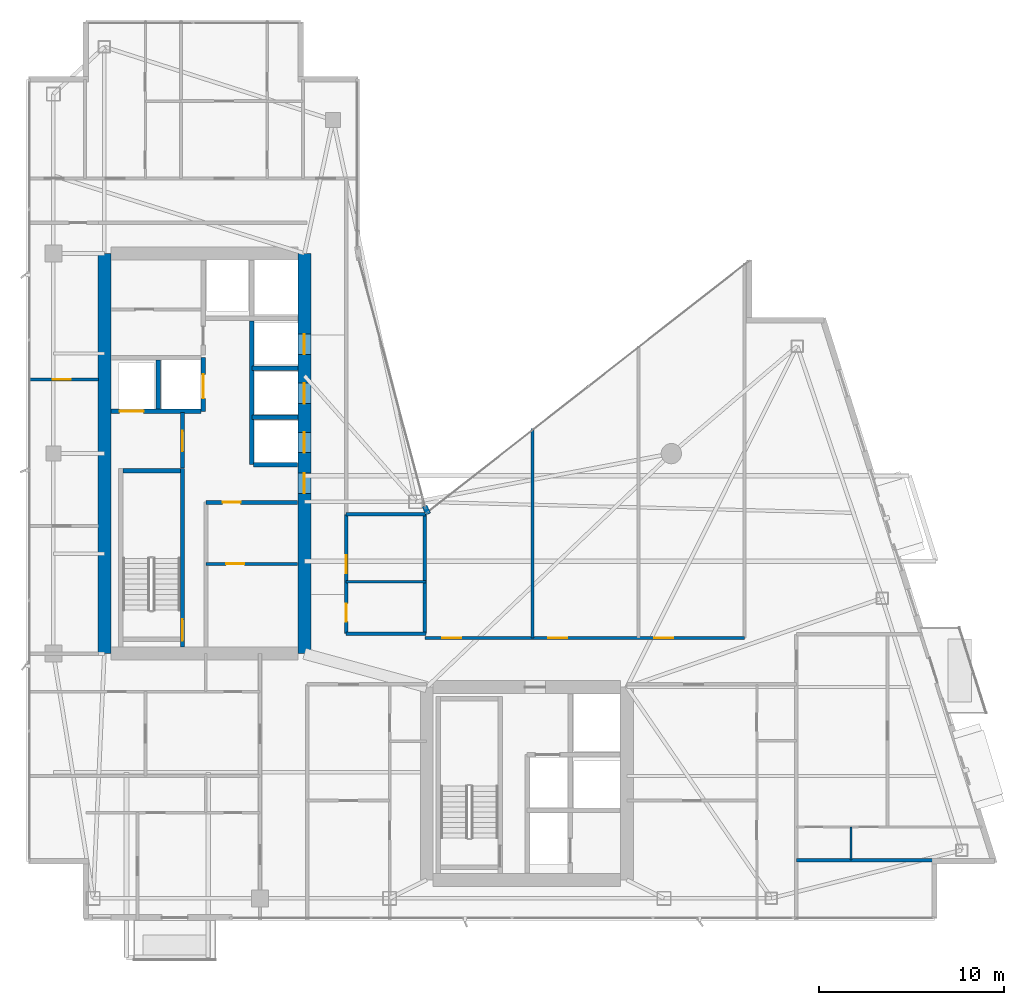
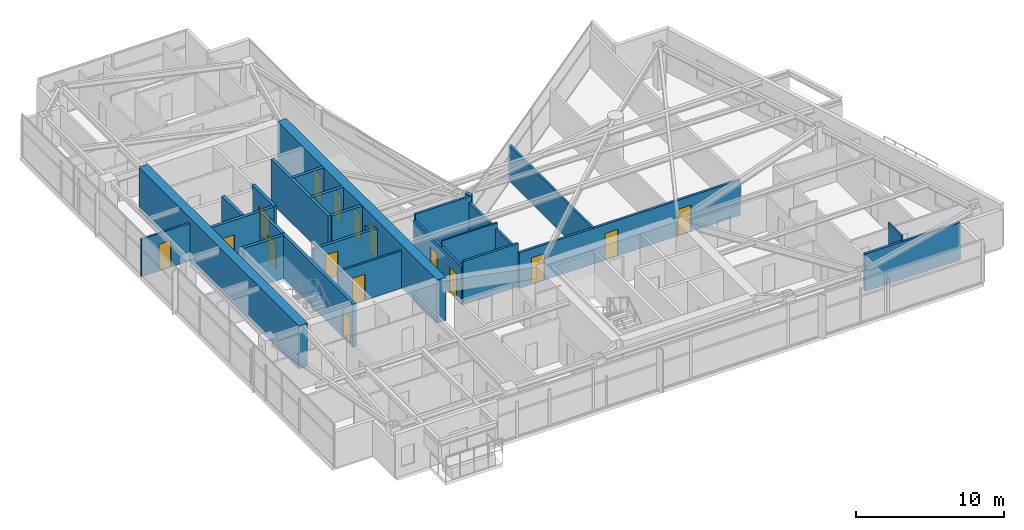
# One storey, part 25 of 30: 25 walls, 16 doors, 16 openings.
"""IFC4 building model written with IfcOpenShell, lengths in metres."""

from ifc_helpers import new_model, si_unit, direction, frame, frame_2d, origin, place, context, subcontext, project, spatial, rectangle, extrude, material, layer, layer_set, type_object, element, fill, save


model = new_model("IFC4")

# Units and contexts
model_context = context("Model", 3, precision=1e-05, world=origin(), true_north=direction((0.0, 1.0)))
body_context = subcontext(model_context, "Body", "Model", "MODEL_VIEW")
ifc_project = project(units=[si_unit("LENGTHUNIT", "METRE"), si_unit("AREAUNIT", "SQUARE_METRE"), si_unit("VOLUMEUNIT", "CUBIC_METRE"), si_unit("PLANEANGLEUNIT", "RADIAN"), si_unit("MASSUNIT", "GRAM", prefix="KILO")], contexts=[model_context])

# Site, building, storey
site_placement = place(None, origin())
site = spatial("IfcSite", under=ifc_project, at=site_placement, CompositionType="ELEMENT")
building_placement = place(site_placement, origin())
building = spatial("IfcBuilding", under=site, at=building_placement, Name="Calvorn Quay Hotel", CompositionType="ELEMENT")
storey_placement = place(building_placement, frame((0.0, 0.0, 203.39990234375)))
storey = spatial("IfcBuildingStorey", under=building, at=storey_placement, Name="L50", CompositionType="ELEMENT", Elevation=203.39990234375)

# Wall
ifc_material_1 = material(Name="Concrete C45", Category="concrete")
ifc_layer_1 = layer(ifc_material_1, 0.699951171875)
ifc_layer_set_1 = layer_set([ifc_layer_1], Name="WL-CORE-700")
wall_type_1 = type_object("IfcWallType", Name="WL-CORE-700", PredefinedType="SHEAR", material=ifc_layer_set_1)
wall_1_placement = place(storey_placement, frame((4.199951171875, 16.800048828125, 0.0), z_axis=(0.0, 0.0, 1.0), x_axis=(0.0, 1.0, 0.0)))
element("IfcWall", 1, at=wall_1_placement, inside=storey, type_object=wall_type_1, Name="West Core Shear Wall W (L50)", PredefinedType="SHEAR", context=body_context, shape_type="SweptSolid", body=[
    extrude(rectangle(XDim=21.599853515625, YDim=0.699951171875, at=frame_2d((10.7998046875, 0.0))), origin(), (0.0, 0.0, 1.0), 3.56005859375),
])

# Wall, openings, doors
wall_2_placement = place(storey_placement, frame((15.0, 16.800048828125, 0.0), z_axis=(0.0, 0.0, 1.0), x_axis=(0.0, 1.0, 0.0)))
wall_2 = element("IfcWall", 2, at=wall_2_placement, inside=storey, type_object=wall_type_1, Name="West Core Shear Wall E (L50)", PredefinedType="SHEAR", context=body_context, shape_type="SweptSolid", body=[
    extrude(rectangle(XDim=21.599853515625, YDim=0.699951171875, at=frame_2d((10.7998046875, 0.0))), origin(), (0.0, 0.0, 1.0), 3.56005859375),
])
opening_1_placement = place(wall_2_placement, frame((8.64990234375, 0.0, 0.0)))
opening_1 = element("IfcOpeningElement", 3, at=opening_1_placement, cuts=wall_2, Name="Opening D-L50-CW1", PredefinedType="OPENING", context=body_context, shape_type="SweptSolid", body=[
    extrude(rectangle(XDim=1.10009765625, YDim=2.199951171875, at=frame_2d((0.550048828125, 1.10009765625))), frame((0.0, 0.35986328125, 0.0), z_axis=(0.0, -1.0, 0.0), x_axis=(1.0, 0.0, 0.0)), (0.0, 0.0, 1.0), 0.719970703125),
])
opening_2_placement = place(wall_2_placement, frame((10.85009765625, 0.0, 0.0)))
opening_2 = element("IfcOpeningElement", 4, at=opening_2_placement, cuts=wall_2, Name="Opening LD-L50-M1", PredefinedType="OPENING", context=body_context, shape_type="SweptSolid", body=[
    extrude(rectangle(XDim=1.10009765625, YDim=2.199951171875, at=frame_2d((0.550048828125, 1.10009765625))), frame((0.0, 0.35986328125, 0.0), z_axis=(0.0, -1.0, 0.0), x_axis=(1.0, 0.0, 0.0)), (0.0, 0.0, 1.0), 0.719970703125),
])
opening_3_placement = place(wall_2_placement, frame((13.5, 0.0, 0.0)))
opening_3 = element("IfcOpeningElement", 5, at=opening_3_placement, cuts=wall_2, Name="Opening LD-L50-M2", PredefinedType="OPENING", context=body_context, shape_type="SweptSolid", body=[
    extrude(rectangle(XDim=1.10009765625, YDim=2.199951171875, at=frame_2d((0.550048828125, 1.10009765625))), frame((0.0, 0.35986328125, 0.0), z_axis=(0.0, -1.0, 0.0), x_axis=(1.0, 0.0, 0.0)), (0.0, 0.0, 1.0), 0.719970703125),
])
opening_4_placement = place(wall_2_placement, frame((16.14990234375, 0.0, 0.0)))
opening_4 = element("IfcOpeningElement", 6, at=opening_4_placement, cuts=wall_2, Name="Opening LD-L50-M3", PredefinedType="OPENING", context=body_context, shape_type="SweptSolid", body=[
    extrude(rectangle(XDim=1.10009765625, YDim=2.199951171875, at=frame_2d((0.550048828125, 1.10009765625))), frame((0.0, 0.35986328125, 0.0), z_axis=(0.0, -1.0, 0.0), x_axis=(1.0, 0.0, 0.0)), (0.0, 0.0, 1.0), 0.719970703125),
])
ifc_material_2 = material(Name="Smoke-Sealed Steel Class A Fire Door", Category="steel")
door_type_1 = type_object("IfcDoorType", Name="DR-FFLOBBY-1100", OperationType="NOTDEFINED", PredefinedType="DOOR", material=ifc_material_2)
door_1_placement = place(opening_1_placement, origin())
door_1 = element("IfcDoor", 7, at=door_1_placement, inside=storey, type_object=door_type_1, Name="West Core Vestibule Fire Door (L50)", OperationType="SINGLE_SWING_LEFT", OverallHeight=2.199951171875, OverallWidth=1.10009765625, PredefinedType="DOOR", context=body_context, shape_type="SweptSolid", body=[
    extrude(rectangle(XDim=1.10009765625, YDim=2.199951171875, at=frame_2d((0.550048828125, 1.10009765625))), frame((0.0, 0.02490234375, 0.0), z_axis=(0.0, -1.0, 0.0), x_axis=(1.0, 0.0, 0.0)), (0.0, 0.0, 1.0), 0.050048828125),
])
fill(opening_1, door_1)
ifc_material_3 = material(Name="Brushed Stainless Steel Sliding Lift Landing Door", Category="steel")
door_type_2 = type_object("IfcDoorType", Name="DR-LIFT-PASS-1100", OperationType="NOTDEFINED", PredefinedType="DOOR", material=ifc_material_3)
door_2_placement = place(opening_2_placement, origin())
door_2 = element("IfcDoor", 8, at=door_2_placement, inside=storey, type_object=door_type_2, Name="Mid-Rise Lift PL-M1 Landing Door (L50)", OperationType="DOUBLE_DOOR_SLIDING", OverallHeight=2.199951171875, OverallWidth=1.10009765625, PredefinedType="DOOR", context=body_context, shape_type="SweptSolid", body=[
    extrude(rectangle(XDim=1.10009765625, YDim=2.199951171875, at=frame_2d((0.550048828125, 1.10009765625))), frame((0.0, 0.02490234375, 0.0), z_axis=(0.0, -1.0, 0.0), x_axis=(1.0, 0.0, 0.0)), (0.0, 0.0, 1.0), 0.050048828125),
])
fill(opening_2, door_2)
door_3_placement = place(opening_3_placement, origin())
door_3 = element("IfcDoor", 9, at=door_3_placement, inside=storey, type_object=door_type_2, Name="Mid-Rise Lift PL-M2 Landing Door (L50)", OperationType="DOUBLE_DOOR_SLIDING", OverallHeight=2.199951171875, OverallWidth=1.10009765625, PredefinedType="DOOR", context=body_context, shape_type="SweptSolid", body=[
    extrude(rectangle(XDim=1.10009765625, YDim=2.199951171875, at=frame_2d((0.550048828125, 1.10009765625))), frame((0.0, 0.02490234375, 0.0), z_axis=(0.0, -1.0, 0.0), x_axis=(1.0, 0.0, 0.0)), (0.0, 0.0, 1.0), 0.050048828125),
])
fill(opening_3, door_3)
door_4_placement = place(opening_4_placement, origin())
door_4 = element("IfcDoor", 10, at=door_4_placement, inside=storey, type_object=door_type_2, Name="Mid-Rise Lift PL-M3 Landing Door (L50)", OperationType="DOUBLE_DOOR_SLIDING", OverallHeight=2.199951171875, OverallWidth=1.10009765625, PredefinedType="DOOR", context=body_context, shape_type="SweptSolid", body=[
    extrude(rectangle(XDim=1.10009765625, YDim=2.199951171875, at=frame_2d((0.550048828125, 1.10009765625))), frame((0.0, 0.02490234375, 0.0), z_axis=(0.0, -1.0, 0.0), x_axis=(1.0, 0.0, 0.0)), (0.0, 0.0, 1.0), 0.050048828125),
])
fill(opening_4, door_4)

# Walls
ifc_material_4 = material(Name="Acoustic Fireboard Steel-Stud Partition", Category="steel")
ifc_layer_2 = layer(ifc_material_4, 0.179931640625)
ifc_layer_set_2 = layer_set([ifc_layer_2], Name="WL-CORR-FIRE-180")
wall_type_2 = type_object("IfcWallType", Name="WL-CORR-FIRE-180", PredefinedType="PARTITIONING", material=ifc_layer_set_2)
wall_3_placement = place(storey_placement, frame((17.25, 17.8798828125, 0.0), z_axis=(0.0, 0.0, 1.0), x_axis=(1.0, 0.0, 0.0)))
element("IfcWall", 11, at=wall_3_placement, inside=storey, type_object=wall_type_2, Name="Partition Wall L50-WL-HK-S", PredefinedType="PARTITIONING", context=body_context, shape_type="SweptSolid", body=[
    extrude(rectangle(XDim=4.300048828125, YDim=0.179931640625, at=frame_2d((2.14990234375, 0.0))), origin(), (0.0, 0.0, 1.0), 3.56005859375),
])
wall_4_placement = place(storey_placement, frame((17.25, 24.320068359375, 0.0), z_axis=(0.0, 0.0, 1.0), x_axis=(1.0, 0.0, 0.0)))
element("IfcWall", 12, at=wall_4_placement, inside=storey, type_object=wall_type_2, Name="Partition Wall L50-WL-HK-N", PredefinedType="PARTITIONING", context=body_context, shape_type="SweptSolid", body=[
    extrude(rectangle(XDim=4.35009765625, YDim=0.179931640625, at=frame_2d((2.175048828125, 0.0))), origin(), (0.0, 0.0, 1.0), 3.56005859375),
])
wall_5_placement = place(storey_placement, frame((21.5, 17.8798828125, 0.0), z_axis=(0.0, 0.0, 1.0), x_axis=(0.0, 1.0, 0.0)))
element("IfcWall", 13, at=wall_5_placement, inside=storey, type_object=wall_type_2, Name="Partition Wall L50-WL-HK-E", PredefinedType="PARTITIONING", context=body_context, shape_type="SweptSolid", body=[
    extrude(rectangle(XDim=6.440185546875, YDim=0.179931640625, at=frame_2d((3.22021484375, 0.0))), origin(), (0.0, 0.0, 1.0), 3.090087890625),
])

# Wall, openings, doors
wall_6_placement = place(storey_placement, frame((17.25, 17.8798828125, 0.0), z_axis=(0.0, 0.0, 1.0), x_axis=(0.0, 1.0, 0.0)))
wall_6 = element("IfcWall", 14, at=wall_6_placement, inside=storey, type_object=wall_type_2, Name="Partition Wall L50-WL-HK-W", PredefinedType="PARTITIONING", context=body_context, shape_type="SweptSolid", body=[
    extrude(rectangle(XDim=6.440185546875, YDim=0.179931640625, at=frame_2d((3.22021484375, 0.0))), origin(), (0.0, 0.0, 1.0), 3.090087890625),
])
opening_5_placement = place(wall_6_placement, frame((0.64990234375, 0.0, 0.0)))
opening_5 = element("IfcOpeningElement", 15, at=opening_5_placement, cuts=wall_6, Name="Opening D-L50-HK", PredefinedType="OPENING", context=body_context, shape_type="SweptSolid", body=[
    extrude(rectangle(XDim=0.97998046875, YDim=2.14990234375, at=frame_2d((0.489990234375, 1.074951171875))), frame((0.0, 0.099853515625, 0.0), z_axis=(0.0, -1.0, 0.0), x_axis=(1.0, 0.0, 0.0)), (0.0, 0.0, 1.0), 0.199951171875),
])
opening_6_placement = place(wall_6_placement, frame((3.27001953125, 0.0, 0.0)))
opening_6 = element("IfcOpeningElement", 16, at=opening_6_placement, cuts=wall_6, Name="Opening D-L50-NCP", PredefinedType="OPENING", context=body_context, shape_type="SweptSolid", body=[
    extrude(rectangle(XDim=0.9599609375, YDim=2.199951171875, at=frame_2d((0.47998046875, 1.10009765625))), frame((0.0, 0.099853515625, 0.0), z_axis=(0.0, -1.0, 0.0), x_axis=(1.0, 0.0, 0.0)), (0.0, 0.0, 1.0), 0.199951171875),
])
ifc_material_5 = material(Name="Painted Steel Housekeeping/Riser Fire Door", Category="steel")
door_type_3 = type_object("IfcDoorType", Name="DR-SERVICE-980", OperationType="NOTDEFINED", PredefinedType="DOOR", material=ifc_material_5)
door_5_placement = place(opening_5_placement, origin())
door_5 = element("IfcDoor", 17, at=door_5_placement, inside=storey, type_object=door_type_3, Name="Floor Housekeeping Door (L50)", OperationType="SINGLE_SWING_LEFT", OverallHeight=2.14990234375, OverallWidth=0.97998046875, PredefinedType="DOOR", context=body_context, shape_type="SweptSolid", body=[
    extrude(rectangle(XDim=0.97998046875, YDim=2.14990234375, at=frame_2d((0.489990234375, 1.074951171875))), frame((0.0, 0.02490234375, 0.0), z_axis=(0.0, -1.0, 0.0), x_axis=(1.0, 0.0, 0.0)), (0.0, 0.0, 1.0), 0.050048828125),
])
fill(opening_5, door_5)
ifc_material_6 = material(Name="Solid Timber Internal Suite Door", Category="wood")
door_type_4 = type_object("IfcDoorType", Name="DR-SUITE-INT-960", OperationType="NOTDEFINED", PredefinedType="DOOR", material=ifc_material_6)
door_6_placement = place(opening_6_placement, origin())
door_6 = element("IfcDoor", 18, at=door_6_placement, inside=storey, type_object=door_type_4, Name="Reading Alcove Door (L50)", OperationType="SINGLE_SWING_RIGHT", OverallHeight=2.199951171875, OverallWidth=0.9599609375, PredefinedType="DOOR", context=body_context, shape_type="SweptSolid", body=[
    extrude(rectangle(XDim=0.9599609375, YDim=2.199951171875, at=frame_2d((0.47998046875, 1.10009765625))), frame((0.0, 0.02490234375, 0.0), z_axis=(0.0, -1.0, 0.0), x_axis=(1.0, 0.0, 0.0)), (0.0, 0.0, 1.0), 0.050048828125),
])
fill(opening_6, door_6)

wall_7_placement = place(storey_placement, frame((21.5, 17.64990234375, 0.0), z_axis=(0.0, 0.0, 1.0), x_axis=(1.0, 0.0, 0.0)))
wall_7 = element("IfcWall", 19, at=wall_7_placement, inside=storey, type_object=wall_type_2, Name="Partition Wall L50-WL-CORR-NE-N", PredefinedType="PARTITIONING", context=body_context, shape_type="SweptSolid", body=[
    extrude(rectangle(XDim=17.25, YDim=0.179931640625, at=frame_2d((8.625, 0.0))), origin(), (0.0, 0.0, 1.0), 2.940185546875),
])
opening_7_placement = place(wall_7_placement, frame((0.949951171875, 0.0, 0.0)))
opening_7 = element("IfcOpeningElement", 20, at=opening_7_placement, cuts=wall_7, Name="Opening D-L50-NS1", PredefinedType="OPENING", context=body_context, shape_type="SweptSolid", body=[
    extrude(rectangle(XDim=1.02001953125, YDim=2.199951171875, at=frame_2d((0.510009765625, 1.10009765625))), frame((0.0, 0.099853515625, 0.0), z_axis=(0.0, -1.0, 0.0), x_axis=(1.0, 0.0, 0.0)), (0.0, 0.0, 1.0), 0.199951171875),
])
opening_8_placement = place(wall_7_placement, frame((6.669921875, 0.0, 0.0)))
opening_8 = element("IfcOpeningElement", 21, at=opening_8_placement, cuts=wall_7, Name="Opening D-L50-NS2", PredefinedType="OPENING", context=body_context, shape_type="SweptSolid", body=[
    extrude(rectangle(XDim=1.02001953125, YDim=2.199951171875, at=frame_2d((0.510009765625, 1.10009765625))), frame((0.0, 0.099853515625, 0.0), z_axis=(0.0, -1.0, 0.0), x_axis=(1.0, 0.0, 0.0)), (0.0, 0.0, 1.0), 0.199951171875),
])
opening_9_placement = place(wall_7_placement, frame((12.3798828125, 0.0, 0.0)))
opening_9 = element("IfcOpeningElement", 22, at=opening_9_placement, cuts=wall_7, Name="Opening D-L50-NS3", PredefinedType="OPENING", context=body_context, shape_type="SweptSolid", body=[
    extrude(rectangle(XDim=1.02001953125, YDim=2.199951171875, at=frame_2d((0.510009765625, 1.10009765625))), frame((0.0, 0.099853515625, 0.0), z_axis=(0.0, -1.0, 0.0), x_axis=(1.0, 0.0, 0.0)), (0.0, 0.0, 1.0), 0.199951171875),
])
ifc_material_7 = material(Name="Solid-Core Walnut Veneer Hotel Fire Door")
door_type_5 = type_object("IfcDoorType", Name="DR-GUEST-ENTRY-1020", OperationType="NOTDEFINED", PredefinedType="DOOR", material=ifc_material_7)
door_7_placement = place(opening_7_placement, origin())
door_7 = element("IfcDoor", 23, at=door_7_placement, inside=storey, type_object=door_type_5, Name="Conservatory Salon Door 1 (L50)", OperationType="SINGLE_SWING_RIGHT", OverallHeight=2.199951171875, OverallWidth=1.02001953125, PredefinedType="DOOR", context=body_context, shape_type="SweptSolid", body=[
    extrude(rectangle(XDim=1.02001953125, YDim=2.199951171875, at=frame_2d((0.510009765625, 1.10009765625))), frame((0.0, 0.02490234375, 0.0), z_axis=(0.0, -1.0, 0.0), x_axis=(1.0, 0.0, 0.0)), (0.0, 0.0, 1.0), 0.050048828125),
])
fill(opening_7, door_7)
door_8_placement = place(opening_8_placement, origin())
door_8 = element("IfcDoor", 24, at=door_8_placement, inside=storey, type_object=door_type_5, Name="Conservatory Salon Door 2 (L50)", OperationType="SINGLE_SWING_LEFT", OverallHeight=2.199951171875, OverallWidth=1.02001953125, PredefinedType="DOOR", context=body_context, shape_type="SweptSolid", body=[
    extrude(rectangle(XDim=1.02001953125, YDim=2.199951171875, at=frame_2d((0.510009765625, 1.10009765625))), frame((0.0, 0.02490234375, 0.0), z_axis=(0.0, -1.0, 0.0), x_axis=(1.0, 0.0, 0.0)), (0.0, 0.0, 1.0), 0.050048828125),
])
fill(opening_8, door_8)
door_9_placement = place(opening_9_placement, origin())
door_9 = element("IfcDoor", 25, at=door_9_placement, inside=storey, type_object=door_type_5, Name="Conservatory Salon Door 3 (L50)", OperationType="SINGLE_SWING_RIGHT", OverallHeight=2.199951171875, OverallWidth=1.02001953125, PredefinedType="DOOR", context=body_context, shape_type="SweptSolid", body=[
    extrude(rectangle(XDim=1.02001953125, YDim=2.199951171875, at=frame_2d((0.510009765625, 1.10009765625))), frame((0.0, 0.02490234375, 0.0), z_axis=(0.0, -1.0, 0.0), x_axis=(1.0, 0.0, 0.0)), (0.0, 0.0, 1.0), 0.050048828125),
])
fill(opening_9, door_9)

# Walls
wall_8_placement = place(storey_placement, frame((41.550048828125, 5.659912109375, 0.0), z_axis=(0.0, 0.0, 1.0), x_axis=(1.0, 0.0, 0.0)))
element("IfcWall", 26, at=wall_8_placement, inside=storey, type_object=wall_type_2, Name="Partition Wall L50-WL-TIP-S", PredefinedType="PARTITIONING", context=body_context, shape_type="SweptSolid", body=[
    extrude(rectangle(XDim=7.449951171875, YDim=0.179931640625, at=frame_2d((3.72509765625, 0.0))), origin(), (0.0, 0.0, 1.0), 3.090087890625),
])
ifc_material_8 = material(Name="Moisture-Resistant Tile-Backed Partition")
ifc_layer_3 = layer(ifc_material_8, 0.125)
ifc_layer_set_3 = layer_set([ifc_layer_3], Name="WL-ENSUITE-125")
wall_type_3 = type_object("IfcWallType", Name="WL-ENSUITE-125", PredefinedType="PARTITIONING", material=ifc_layer_set_3)
wall_9_placement = place(storey_placement, frame((17.25, 20.679931640625, 0.0), z_axis=(0.0, 0.0, 1.0), x_axis=(1.0, 0.0, 0.0)))
element("IfcWall", 27, at=wall_9_placement, inside=storey, type_object=wall_type_3, Name="Partition Wall L50-WL-HK-M", PredefinedType="PARTITIONING", context=body_context, shape_type="SweptSolid", body=[
    extrude(rectangle(XDim=4.300048828125, YDim=0.125, at=frame_2d((2.14990234375, 0.0))), origin(), (0.0, 0.0, 1.0), 3.56005859375),
])
wall_10_placement = place(storey_placement, frame((44.5, 5.659912109375, 0.0), z_axis=(0.0, 0.0, 1.0), x_axis=(0.0, 1.0, 0.0)))
element("IfcWall", 28, at=wall_10_placement, inside=storey, type_object=wall_type_3, Name="Partition Wall L50-WL-U07-BDV", PredefinedType="PARTITIONING", context=body_context, shape_type="SweptSolid", body=[
    extrude(rectangle(XDim=1.7900390625, YDim=0.125, at=frame_2d((0.89501953125, 0.0))), origin(), (0.0, 0.0, 1.0), 3.56005859375),
])
ifc_material_9 = material(Name="Concrete C40", Category="concrete")
ifc_layer_4 = layer(ifc_material_9, 0.320068359375)
ifc_layer_set_4 = layer_set([ifc_layer_4], Name="WL-EXT-SPANDREL-320")
wall_type_4 = type_object("IfcWallType", Name="WL-EXT-SPANDREL-320", PredefinedType="SOLIDWALL", material=ifc_layer_set_4)
wall_11_placement = place(storey_placement, frame((21.679931640625, 24.340087890625, 0.0), z_axis=(0.0, 0.0, 1.0), x_axis=(-0.40758134973, 0.913168901875, 0.0)))
element("IfcWall", 29, at=wall_11_placement, inside=storey, type_object=wall_type_4, Name="Inner Court Corner Pier L50-ICJ1", PredefinedType="SOLIDWALL", context=body_context, shape_type="SweptSolid", body=[
    extrude(rectangle(XDim=0.470703125, YDim=0.280029296875, at=frame_2d((0.2353515625, 0.0))), origin(), (0.0, 0.0, 1.0), 3.56005859375),
])

# Wall, opening, door
ifc_material_10 = material(Name="Double-Stud Acoustic Gypsum Partition")
ifc_layer_5 = layer(ifc_material_10, 0.159912109375)
ifc_layer_set_5 = layer_set([ifc_layer_5], Name="WL-INTERSUITE-160")
wall_type_5 = type_object("IfcWallType", Name="WL-INTERSUITE-160", PredefinedType="PARTITIONING", material=ifc_layer_set_5)
wall_12_placement = place(storey_placement, frame((9.679931640625, 21.64990234375, 0.0), z_axis=(0.0, 0.0, 1.0), x_axis=(1.0, 0.0, 0.0)))
wall_12 = element("IfcWall", 30, at=wall_12_placement, inside=storey, type_object=wall_type_5, Name="Partition Wall L50-WL-CWW-FR-SPLIT", PredefinedType="PARTITIONING", context=body_context, shape_type="SweptSolid", body=[
    extrude(rectangle(XDim=4.949951171875, YDim=0.159912109375, at=frame_2d((2.47509765625, 0.0))), origin(), (0.0, 0.0, 1.0), 3.090087890625),
])
opening_10_placement = place(wall_12_placement, frame((1.10009765625, 0.0, 0.0)))
opening_10 = element("IfcOpeningElement", 31, at=opening_10_placement, cuts=wall_12, Name="Opening D-L50-FRL1", PredefinedType="OPENING", context=body_context, shape_type="SweptSolid", body=[
    extrude(rectangle(XDim=0.97998046875, YDim=2.14990234375, at=frame_2d((0.489990234375, 1.074951171875))), frame((0.0, 0.08984375, 0.0), z_axis=(0.0, -1.0, 0.0), x_axis=(1.0, 0.0, 0.0)), (0.0, 0.0, 1.0), 0.179931640625),
])
door_10_placement = place(opening_10_placement, origin())
door_10 = element("IfcDoor", 32, at=door_10_placement, inside=storey, type_object=door_type_3, Name="Linen Store Room Door (L50)", OperationType="SINGLE_SWING_LEFT", OverallHeight=2.14990234375, OverallWidth=0.97998046875, PredefinedType="DOOR", context=body_context, shape_type="SweptSolid", body=[
    extrude(rectangle(XDim=0.97998046875, YDim=2.14990234375, at=frame_2d((0.489990234375, 1.074951171875))), frame((0.0, 0.02490234375, 0.0), z_axis=(0.0, -1.0, 0.0), x_axis=(1.0, 0.0, 0.0)), (0.0, 0.0, 1.0), 0.050048828125),
])
fill(opening_10, door_10)

wall_13_placement = place(storey_placement, frame((0.080078125, 31.60009765625, 0.0), z_axis=(0.0, 0.0, 1.0), x_axis=(1.0, 0.0, 0.0)))
wall_13 = element("IfcWall", 33, at=wall_13_placement, inside=storey, type_object=wall_type_5, Name="Partition Wall L50-WL-WBAY-DIVB", PredefinedType="PARTITIONING", context=body_context, shape_type="SweptSolid", body=[
    extrude(rectangle(XDim=3.7998046875, YDim=0.159912109375, at=frame_2d((1.89990234375, 0.0))), origin(), (0.0, 0.0, 1.0), 3.090087890625),
])
opening_11_placement = place(wall_13_placement, frame((1.35009765625, 0.0, 0.0)))
opening_11 = element("IfcOpeningElement", 34, at=opening_11_placement, cuts=wall_13, Name="Opening D-L50-WBB", PredefinedType="OPENING", context=body_context, shape_type="SweptSolid", body=[
    extrude(rectangle(XDim=0.9599609375, YDim=2.199951171875, at=frame_2d((0.47998046875, 1.10009765625))), frame((0.0, 0.08984375, 0.0), z_axis=(0.0, -1.0, 0.0), x_axis=(1.0, 0.0, 0.0)), (0.0, 0.0, 1.0), 0.179931640625),
])
door_11_placement = place(opening_11_placement, origin())
door_11 = element("IfcDoor", 35, at=door_11_placement, inside=storey, type_object=door_type_4, Name="West North Connecting Door (L50)", OperationType="SINGLE_SWING_RIGHT", OverallHeight=2.199951171875, OverallWidth=0.9599609375, PredefinedType="DOOR", context=body_context, shape_type="SweptSolid", body=[
    extrude(rectangle(XDim=0.9599609375, YDim=2.199951171875, at=frame_2d((0.47998046875, 1.10009765625))), frame((0.0, 0.02490234375, 0.0), z_axis=(0.0, -1.0, 0.0), x_axis=(1.0, 0.0, 0.0)), (0.0, 0.0, 1.0), 0.050048828125),
])
fill(opening_11, door_11)

# Wall
wall_14_placement = place(storey_placement, frame((27.320068359375, 17.64990234375, 0.0), z_axis=(0.0, 0.0, 1.0), x_axis=(0.0, 1.0, 0.0)))
element("IfcWall", 36, at=wall_14_placement, inside=storey, type_object=wall_type_5, Name="Partition Wall L50-WL-NE-DIV-1", PredefinedType="PARTITIONING", context=body_context, shape_type="SweptSolid", body=[
    extrude(rectangle(XDim=11.300048828125, YDim=0.159912109375, at=frame_2d((5.64990234375, 0.0))), origin(), (0.0, 0.0, 1.0), 2.940185546875),
])

# Wall, opening, door
ifc_material_11 = material(Name="Autoclaved Aerated Masonry Block", Category="masonry")
ifc_layer_6 = layer(ifc_material_11, 0.219970703125)
ifc_layer_set_6 = layer_set([ifc_layer_6], Name="WL-LOBBY-FIRE-220")
wall_type_6 = type_object("IfcWallType", Name="WL-LOBBY-FIRE-220", PredefinedType="SOLIDWALL", material=ifc_layer_set_6)
wall_15_placement = place(storey_placement, frame((9.679931640625, 24.969970703125, 0.0), z_axis=(0.0, 0.0, 1.0), x_axis=(1.0, 0.0, 0.0)))
wall_15 = element("IfcWall", 37, at=wall_15_placement, inside=storey, type_object=wall_type_6, Name="Partition Wall L50-WL-CWW-FR-N", PredefinedType="SOLIDWALL", context=body_context, shape_type="SweptSolid", body=[
    extrude(rectangle(XDim=4.949951171875, YDim=0.219970703125, at=frame_2d((2.47509765625, 0.0))), origin(), (0.0, 0.0, 1.0), 2.940185546875),
])
opening_12_placement = place(wall_15_placement, frame((0.89990234375, 0.0, 0.0)))
opening_12 = element("IfcOpeningElement", 38, at=opening_12_placement, cuts=wall_15, Name="Opening D-L50-FRL2", PredefinedType="OPENING", context=body_context, shape_type="SweptSolid", body=[
    extrude(rectangle(XDim=0.97998046875, YDim=2.14990234375, at=frame_2d((0.489990234375, 1.074951171875))), frame((0.0, 0.119873046875, 0.0), z_axis=(0.0, -1.0, 0.0), x_axis=(1.0, 0.0, 0.0)), (0.0, 0.0, 1.0), 0.239990234375),
])
door_12_placement = place(opening_12_placement, origin())
door_12 = element("IfcDoor", 39, at=door_12_placement, inside=storey, type_object=door_type_3, Name="Beverage Pantry Door (L50)", OperationType="SINGLE_SWING_RIGHT", OverallHeight=2.14990234375, OverallWidth=0.97998046875, PredefinedType="DOOR", context=body_context, shape_type="SweptSolid", body=[
    extrude(rectangle(XDim=0.97998046875, YDim=2.14990234375, at=frame_2d((0.489990234375, 1.074951171875))), frame((0.0, 0.02490234375, 0.0), z_axis=(0.0, -1.0, 0.0), x_axis=(1.0, 0.0, 0.0)), (0.0, 0.0, 1.0), 0.050048828125),
])
fill(opening_12, door_12)

ifc_material_12 = material(Name="Concrete C40", Category="concrete")
ifc_layer_7 = layer(ifc_material_12, 0.239990234375)
ifc_layer_set_7 = layer_set([ifc_layer_7], Name="WL-SHAFT-240")
wall_type_7 = type_object("IfcWallType", Name="WL-SHAFT-240", PredefinedType="SOLIDWALL", material=ifc_layer_set_7)
wall_16_placement = place(storey_placement, frame((8.419921875, 17.14990234375, 0.0), z_axis=(0.0, 0.0, 1.0), x_axis=(0.0, 1.0, 0.0)))
wall_16 = element("IfcWall", 40, at=wall_16_placement, inside=storey, type_object=wall_type_7, Name="Stair STW Shaft Wall E (L50)", PredefinedType="SOLIDWALL", context=body_context, shape_type="SweptSolid", body=[
    extrude(rectangle(XDim=9.64013671875, YDim=0.239990234375, at=frame_2d((4.820068359375, 0.0))), origin(), (0.0, 0.0, 1.0), 3.56005859375),
])
opening_13_placement = place(wall_16_placement, frame((0.35009765625, 0.0, 0.0)))
opening_13 = element("IfcOpeningElement", 41, at=opening_13_placement, cuts=wall_16, Name="Opening D-L50-STW", PredefinedType="OPENING", context=body_context, shape_type="SweptSolid", body=[
    extrude(rectangle(XDim=1.14990234375, YDim=2.199951171875, at=frame_2d((0.574951171875, 1.10009765625))), frame((0.0, 0.1298828125, 0.0), z_axis=(0.0, -1.0, 0.0), x_axis=(1.0, 0.0, 0.0)), (0.0, 0.0, 1.0), 0.260009765625),
])
ifc_material_13 = material(Name="Galvanised Steel Class A Fire Door", Category="steel")
door_type_6 = type_object("IfcDoorType", Name="DR-STAIR-SMOKE-1150", OperationType="NOTDEFINED", PredefinedType="DOOR", material=ifc_material_13)
door_13_placement = place(opening_13_placement, origin())
door_13 = element("IfcDoor", 42, at=door_13_placement, inside=storey, type_object=door_type_6, Name="Stair ST-W Fire Door (L50)", OperationType="SINGLE_SWING_LEFT", OverallHeight=2.199951171875, OverallWidth=1.14990234375, PredefinedType="DOOR", context=body_context, shape_type="SweptSolid", body=[
    extrude(rectangle(XDim=1.14990234375, YDim=2.199951171875, at=frame_2d((0.574951171875, 1.10009765625))), frame((0.0, 0.02490234375, 0.0), z_axis=(0.0, -1.0, 0.0), x_axis=(1.0, 0.0, 0.0)), (0.0, 0.0, 1.0), 0.050048828125),
])
fill(opening_13, door_13)

# Walls
wall_17_placement = place(storey_placement, frame((5.199951171875, 26.669921875, 0.0), z_axis=(0.0, 0.0, 1.0), x_axis=(1.0, 0.0, 0.0)))
element("IfcWall", 43, at=wall_17_placement, inside=storey, type_object=wall_type_7, Name="Stair STW Shaft Wall N (L50)", PredefinedType="SOLIDWALL", context=body_context, shape_type="SweptSolid", body=[
    extrude(rectangle(XDim=3.10009765625, YDim=0.239990234375, at=frame_2d((1.550048828125, 0.0))), origin(), (0.0, 0.0, 1.0), 3.56005859375),
])
for number, where, z_axis, x_axis, name in (
    (44, (12.179931640625, 29.550048828125, 0.0), (0.0, 0.0, 1.0), (1.0, 0.0, 0.0), "Lift Hoistway Divider Wall PLM12 (L50)"),
    (45, (12.179931640625, 32.199951171875, 0.0), (0.0, 0.0, 1.0), (1.0, 0.0, 0.0), "Lift Hoistway Divider Wall PLM23 (L50)"),
):
    element("IfcWall", number, at=place(storey_placement, frame(where, z_axis=z_axis, x_axis=x_axis)), inside=storey, type_object=wall_type_7, Name=name, PredefinedType="SOLIDWALL", context=body_context, shape_type="SweptSolid", body=[
        extrude(rectangle(XDim=2.469970703125, YDim=0.239990234375, at=frame_2d((1.23486328125, 0.0))), origin(), (0.0, 0.0, 1.0), 3.56005859375),
    ])

# Wall, opening, door
wall_18_placement = place(storey_placement, frame((8.419921875, 26.820068359375, 0.0), z_axis=(0.0, 0.0, 1.0), x_axis=(0.0, 1.0, 0.0)))
wall_18 = element("IfcWall", 46, at=wall_18_placement, inside=storey, type_object=wall_type_7, Name="Partition Wall L50-WL-CWW-FFL-E", PredefinedType="SOLIDWALL", context=body_context, shape_type="SweptSolid", body=[
    extrude(rectangle(XDim=3.0, YDim=0.239990234375, at=frame_2d((1.5, 0.0))), origin(), (0.0, 0.0, 1.0), 3.56005859375),
])
opening_14_placement = place(wall_18_placement, frame((0.89990234375, 0.0, 0.0)))
opening_14 = element("IfcOpeningElement", 47, at=opening_14_placement, cuts=wall_18, Name="Opening D-L50-FLW", PredefinedType="OPENING", context=body_context, shape_type="SweptSolid", body=[
    extrude(rectangle(XDim=1.10009765625, YDim=2.199951171875, at=frame_2d((0.550048828125, 1.10009765625))), frame((0.0, 0.1298828125, 0.0), z_axis=(0.0, -1.0, 0.0), x_axis=(1.0, 0.0, 0.0)), (0.0, 0.0, 1.0), 0.260009765625),
])
door_14_placement = place(opening_14_placement, origin())
door_14 = element("IfcDoor", 48, at=door_14_placement, inside=storey, type_object=door_type_1, Name="West Firefighting Lobby Fire Door (L50)", OperationType="SINGLE_SWING_RIGHT", OverallHeight=2.199951171875, OverallWidth=1.10009765625, PredefinedType="DOOR", context=body_context, shape_type="SweptSolid", body=[
    extrude(rectangle(XDim=1.10009765625, YDim=2.199951171875, at=frame_2d((0.550048828125, 1.10009765625))), frame((0.0, 0.02490234375, 0.0), z_axis=(0.0, -1.0, 0.0), x_axis=(1.0, 0.0, 0.0)), (0.0, 0.0, 1.0), 0.050048828125),
])
fill(opening_14, door_14)

wall_19_placement = place(storey_placement, frame((4.570068359375, 29.8798828125, 0.0), z_axis=(0.0, 0.0, 1.0), x_axis=(1.0, 0.0, 0.0)))
wall_19 = element("IfcWall", 49, at=wall_19_placement, inside=storey, type_object=wall_type_7, Name="Partition Wall L50-WL-CWW-FLW-S", PredefinedType="SOLIDWALL", context=body_context, shape_type="SweptSolid", body=[
    extrude(rectangle(XDim=4.849853515625, YDim=0.239990234375, at=frame_2d((2.4248046875, 0.0))), origin(), (0.0, 0.0, 1.0), 3.56005859375),
])
opening_15_placement = place(wall_19_placement, frame((0.449951171875, 0.0, 0.0)))
opening_15 = element("IfcOpeningElement", 50, at=opening_15_placement, cuts=wall_19, Name="Opening LD-L50-FLW1", PredefinedType="OPENING", context=body_context, shape_type="SweptSolid", body=[
    extrude(rectangle(XDim=1.300048828125, YDim=2.35009765625, at=frame_2d((0.64990234375, 1.175048828125))), frame((0.0, 0.1298828125, 0.0), z_axis=(0.0, -1.0, 0.0), x_axis=(1.0, 0.0, 0.0)), (0.0, 0.0, 1.0), 0.260009765625),
])
ifc_material_14 = material(Name="Champagne-Bronze Sliding Express Lift Landing Door")
door_type_7 = type_object("IfcDoorType", Name="DR-LIFT-SHUTTLE-1300", OperationType="NOTDEFINED", PredefinedType="DOOR", material=ifc_material_14)
door_15_placement = place(opening_15_placement, origin())
door_15 = element("IfcDoor", 51, at=door_15_placement, inside=storey, type_object=door_type_7, Name="Firefighting Lift FL-W1 Landing Door (L50)", OperationType="DOUBLE_DOOR_SLIDING", OverallHeight=2.35009765625, OverallWidth=1.300048828125, PredefinedType="DOOR", context=body_context, shape_type="SweptSolid", body=[
    extrude(rectangle(XDim=1.300048828125, YDim=2.35009765625, at=frame_2d((0.64990234375, 1.175048828125))), frame((0.0, 0.02490234375, 0.0), z_axis=(0.0, -1.0, 0.0), x_axis=(1.0, 0.0, 0.0)), (0.0, 0.0, 1.0), 0.050048828125),
])
fill(opening_15, door_15)

# Wall
wall_20_placement = place(storey_placement, frame((7.10009765625, 30.02001953125, 0.0), z_axis=(0.0, 0.0, 1.0), x_axis=(0.0, 1.0, 0.0)))
element("IfcWall", 52, at=wall_20_placement, inside=storey, type_object=wall_type_7, Name="Partition Wall L50-WL-CWW-FLW-DIV", PredefinedType="SOLIDWALL", context=body_context, shape_type="SweptSolid", body=[
    extrude(rectangle(XDim=2.6298828125, YDim=0.239990234375, at=frame_2d((1.31494140625, 0.0))), origin(), (0.0, 0.0, 1.0), 3.56005859375),
])

# Wall, opening, door
wall_21_placement = place(storey_placement, frame((9.5400390625, 29.8798828125, 0.0), z_axis=(0.0, 0.0, 1.0), x_axis=(0.0, 1.0, 0.0)))
wall_21 = element("IfcWall", 53, at=wall_21_placement, inside=storey, type_object=wall_type_7, Name="Partition Wall L50-WL-CWW-SLW-E", PredefinedType="SOLIDWALL", context=body_context, shape_type="SweptSolid", body=[
    extrude(rectangle(XDim=2.900146484375, YDim=0.239990234375, at=frame_2d((1.4501953125, 0.0))), origin(), (0.0, 0.0, 1.0), 3.56005859375),
])
opening_16_placement = place(wall_21_placement, frame((0.699951171875, 0.0, 0.0)))
opening_16 = element("IfcOpeningElement", 54, at=opening_16_placement, cuts=wall_21, Name="Opening LD-L50-SLW1", PredefinedType="OPENING", context=body_context, shape_type="SweptSolid", body=[
    extrude(rectangle(XDim=1.300048828125, YDim=2.35009765625, at=frame_2d((0.64990234375, 1.175048828125))), frame((0.0, 0.1298828125, 0.0), z_axis=(0.0, -1.0, 0.0), x_axis=(1.0, 0.0, 0.0)), (0.0, 0.0, 1.0), 0.260009765625),
])
door_16_placement = place(opening_16_placement, origin())
door_16 = element("IfcDoor", 55, at=door_16_placement, inside=storey, type_object=door_type_7, Name="Service Lift SL-W1 Landing Door (L50)", OperationType="DOUBLE_DOOR_SLIDING", OverallHeight=2.35009765625, OverallWidth=1.300048828125, PredefinedType="DOOR", context=body_context, shape_type="SweptSolid", body=[
    extrude(rectangle(XDim=1.300048828125, YDim=2.35009765625, at=frame_2d((0.64990234375, 1.175048828125))), frame((0.0, 0.02490234375, 0.0), z_axis=(0.0, -1.0, 0.0), x_axis=(1.0, 0.0, 0.0)), (0.0, 0.0, 1.0), 0.050048828125),
])
fill(opening_16, door_16)

# Walls
wall_22_placement = place(storey_placement, frame((12.25, 27.0, 0.0), z_axis=(0.0, 0.0, 1.0), x_axis=(1.0, 0.0, 0.0)))
element("IfcWall", 56, at=wall_22_placement, inside=storey, type_object=wall_type_7, Name="Partition Wall L50-WL-CWW-PLM-S", PredefinedType="SOLIDWALL", context=body_context, shape_type="SweptSolid", body=[
    extrude(rectangle(XDim=2.3798828125, YDim=0.239990234375, at=frame_2d((1.18994140625, 0.0))), origin(), (0.0, 0.0, 1.0), 3.56005859375),
])
wall_23_placement = place(storey_placement, frame((12.14990234375, 27.0, 0.0), z_axis=(0.0, 0.0, 1.0), x_axis=(0.0, 1.0, 0.0)))
element("IfcWall", 57, at=wall_23_placement, inside=storey, type_object=wall_type_7, Name="Partition Wall L50-WL-CWW-PLM-W", PredefinedType="SOLIDWALL", context=body_context, shape_type="SweptSolid", body=[
    extrude(rectangle(XDim=7.75, YDim=0.239990234375, at=frame_2d((3.875, 0.0))), origin(), (0.0, 0.0, 1.0), 3.56005859375),
])

save(model, "model.ifc")
